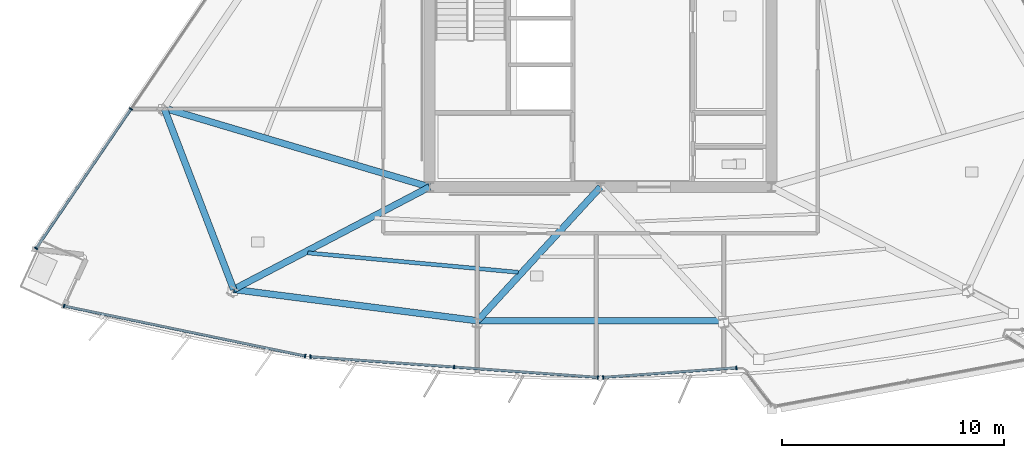
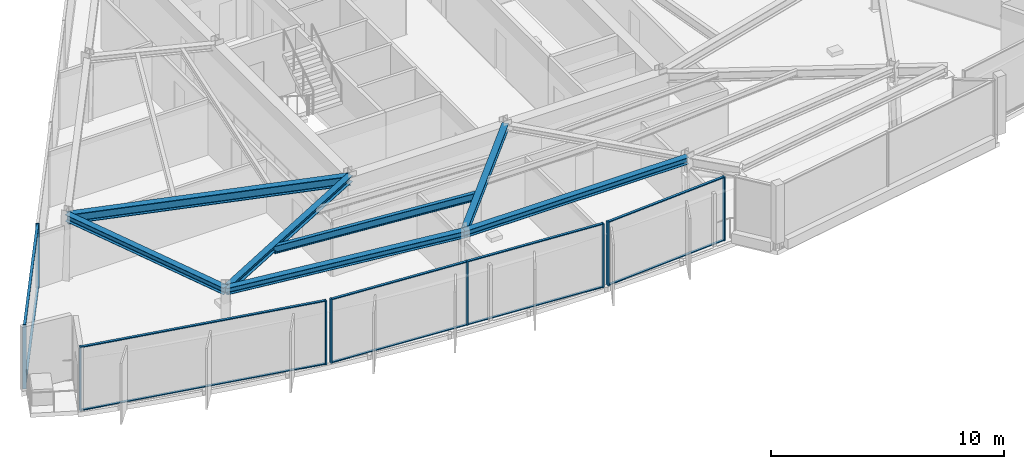
# One storey, part 2 of 13: 19 members, 7 beams, 4 elements without a shape of their own.
"""IFC4 building model written with IfcOpenShell, lengths in metres."""

from ifc_helpers import new_model, si_unit, direction, frame, origin, origin_2d, place, context, subcontext, project, spatial, rectangle, i_section, extrude, material, material_profile, profile_set, type_object, element, aggregate, save


model = new_model("IFC4")

# Units and contexts
model_context = context("Model", 3, precision=1e-05, world=origin(), true_north=direction((0.0, 1.0)))
body_context = subcontext(model_context, "Body", "Model", "MODEL_VIEW")
ifc_project = project(units=[si_unit("LENGTHUNIT", "METRE"), si_unit("AREAUNIT", "SQUARE_METRE"), si_unit("VOLUMEUNIT", "CUBIC_METRE"), si_unit("PLANEANGLEUNIT", "RADIAN"), si_unit("MASSUNIT", "GRAM", prefix="KILO")], contexts=[model_context])

# Site, building, storey
site_placement = place(None, origin())
site = spatial("IfcSite", under=ifc_project, at=site_placement, CompositionType="ELEMENT")
building_placement = place(site_placement, origin())
building = spatial("IfcBuilding", under=site, at=building_placement, Name="Savorim Split Tower", CompositionType="ELEMENT")
storey_placement = place(building_placement, frame((0.0, 0.0, 216.300048828125)))
storey = spatial("IfcBuildingStorey", under=building, at=storey_placement, Name="L57", CompositionType="ELEMENT", Elevation=216.300048828125)

# Beams
ifc_material_1 = material(Name="Steel S355", Category="steel")
ifc_material_profile_1 = material_profile(ifc_material_1, i_section(OverallWidth=0.179931640625, OverallDepth=0.39990234375, WebThickness=0.008544921875, FlangeThickness=0.013427734375, FilletRadius=0.02099609375, at=origin_2d()), Name="IPE 400")
ifc_profile_set_1 = profile_set([ifc_material_profile_1], Name="Steel S355")
beam_type_1 = type_object("IfcBeamType", Name="BM-JST-IPE400", PredefinedType="JOIST", material=ifc_profile_set_1)
beam_1_placement = place(storey_placement, frame((-13.186767578125, -12.3681640625, 3.14990234375), z_axis=(0.995789389703, -0.091670558826, 0.0), x_axis=(0.091670558826, 0.995789389703, 0.0)))
element("IfcBeam", 1, at=beam_1_placement, inside=storey, type_object=beam_type_1, Name="L57 Secondary Floor Joist JS-01", PredefinedType="JOIST", context=body_context, shape_type="SweptSolid", body=[
    extrude(i_section(OverallWidth=0.179931640625, OverallDepth=0.39990234375, WebThickness=0.008544921875, FlangeThickness=0.013427734375, FilletRadius=0.02099609375, at=origin_2d()), origin(), (0.0, 0.0, 1.0), 9.523681640625),
])
ifc_material_profile_2 = material_profile(ifc_material_1, i_section(OverallWidth=0.300048828125, OverallDepth=0.320068359375, WebThickness=0.011474609375, FlangeThickness=0.0205078125, FilletRadius=0.027099609375, at=origin_2d()), Name="HEB 320")
ifc_profile_set_2 = profile_set([ifc_material_profile_2], Name="Steel S355")
beam_type_2 = type_object("IfcBeamType", Name="BM-PRI-HEB320", PredefinedType="BEAM", material=ifc_profile_set_2)
beam_2_placement = place(storey_placement, frame((-16.52197265625, -14.0146484375, 3.18994140625), z_axis=(0.886092015085, 0.463509375097, 0.0), x_axis=(-0.463509375097, 0.886092015085, 0.0)))
element("IfcBeam", 2, at=beam_2_placement, inside=storey, type_object=beam_type_2, Name="L57 Primary Floor Girder RG-01", PredefinedType="BEAM", context=body_context, shape_type="SweptSolid", body=[
    extrude(i_section(OverallWidth=0.300048828125, OverallDepth=0.320068359375, WebThickness=0.011474609375, FlangeThickness=0.0205078125, FilletRadius=0.027099609375, at=origin_2d()), origin(), (0.0, 0.0, 1.0), 9.9560546875),
])
beam_3_placement = place(storey_placement, frame((-5.537353515625, -15.425048828125, 3.18994140625), z_axis=(0.676673814544, 0.736282927081, 0.0), x_axis=(-0.736282927081, 0.676673814544, 0.0)))
element("IfcBeam", 3, at=beam_3_placement, inside=storey, type_object=beam_type_2, Name="L57 Primary Floor Girder RG-02", PredefinedType="BEAM", context=body_context, shape_type="SweptSolid", body=[
    extrude(i_section(OverallWidth=0.300048828125, OverallDepth=0.320068359375, WebThickness=0.011474609375, FlangeThickness=0.0205078125, FilletRadius=0.027099609375, at=origin_2d()), origin(), (0.0, 0.0, 1.0), 8.18310546875),
])
ifc_material_profile_3 = material_profile(ifc_material_1, i_section(OverallWidth=0.300048828125, OverallDepth=0.5, WebThickness=0.014404296875, FlangeThickness=0.028076171875, FilletRadius=0.027099609375, at=origin_2d()), Name="HEB 500")
ifc_profile_set_3 = profile_set([ifc_material_profile_3], Name="Steel S355")
beam_type_3 = type_object("IfcBeamType", Name="BM-PRI-HEB500", PredefinedType="BEAM", material=ifc_profile_set_3)
beam_4_placement = place(storey_placement, frame((-19.65771484375, -5.845458984375, 3.099853515625), z_axis=(0.958548780733, -0.284928473401, 0.0), x_axis=(0.284928473401, 0.958548780733, 0.0)))
element("IfcBeam", 4, at=beam_4_placement, inside=storey, type_object=beam_type_3, Name="L57 Primary Floor Girder RG-10", PredefinedType="BEAM", context=body_context, shape_type="SweptSolid", body=[
    extrude(i_section(OverallWidth=0.300048828125, OverallDepth=0.5, WebThickness=0.014404296875, FlangeThickness=0.028076171875, FilletRadius=0.027099609375, at=origin_2d()), origin(), (0.0, 0.0, 1.0), 12.474853515625),
])
ifc_material_profile_4 = material_profile(ifc_material_1, i_section(OverallWidth=0.300048828125, OverallDepth=0.35009765625, WebThickness=0.010009765625, FlangeThickness=0.017578125, FilletRadius=0.027099609375, at=origin_2d()), Name="HEA 360")
ifc_profile_set_4 = profile_set([ifc_material_profile_4], Name="Steel S355")
beam_type_4 = type_object("IfcBeamType", Name="BM-SPN-HEA360", PredefinedType="SPANDREL", material=ifc_profile_set_4)
for number, where, z_axis, x_axis, name in (
    (5, (-16.52197265625, -14.0146484375, 3.175048828125), (0.991857548844, -0.127352278347, 0.0), (0.127352278347, 0.991857548844, 0.0), "L57 Perimeter Spandrel Beam 1"),
    (6, (-5.537353515625, -15.425048828125, 3.175048828125), (1.0, 0.0, 0.0), (0.0, 1.0, 0.0), "L57 Perimeter Spandrel Beam 2"),
):
    element("IfcBeam", number, at=place(storey_placement, frame(where, z_axis=z_axis, x_axis=x_axis)), inside=storey, type_object=beam_type_4, Name=name, PredefinedType="SPANDREL", context=body_context, shape_type="SweptSolid", body=[
        extrude(i_section(OverallWidth=0.300048828125, OverallDepth=0.35009765625, WebThickness=0.010009765625, FlangeThickness=0.017578125, FilletRadius=0.027099609375, at=origin_2d()), origin(), (0.0, 0.0, 1.0), 11.07470703125),
    ])
beam_5_placement = place(storey_placement, frame((-19.65771484375, -5.845458984375, 3.175048828125), z_axis=(0.358356411455, -0.933584855473, 0.0), x_axis=(0.933584855473, 0.358356411455, 0.0)))
element("IfcBeam", 7, at=beam_5_placement, inside=storey, type_object=beam_type_4, Name="L57 Perimeter Spandrel Beam 10", PredefinedType="SPANDREL", context=body_context, shape_type="SweptSolid", body=[
    extrude(i_section(OverallWidth=0.300048828125, OverallDepth=0.35009765625, WebThickness=0.010009765625, FlangeThickness=0.017578125, FilletRadius=0.027099609375, at=origin_2d()), origin(), (0.0, 0.0, 1.0), 8.750244140625),
])

# Curtain wall, members
ifc_material_2 = material(Name="Dark Ceramic-Fritted Insulated Glass", Category="glass")
curtain_wall_type = type_object("IfcCurtainWallType", Name="CW-TWR-FRIT-B", PredefinedType="NOTDEFINED", material=ifc_material_2)
curtain_wall_1_placement = place(storey_placement, origin())
curtain_wall_1 = element("IfcCurtainWall", 8, at=curtain_wall_1_placement, inside=storey, type_object=curtain_wall_type, Name="L57 Curtain Wall CW-L57-SF1A", PredefinedType="NOTDEFINED")
ifc_material_3 = material(Name="Charcoal Anodised Aluminium", Category="aluminium")
ifc_material_profile_5 = material_profile(ifc_material_3, rectangle(XDim=0.159912109375, YDim=0.06005859375, at=origin_2d()), Name="ALU-M 160x60")
ifc_profile_set_5 = profile_set([ifc_material_profile_5], Name="Charcoal Anodised Aluminium")
member_type_1 = type_object("IfcMemberType", Name="CWM-160x60", PredefinedType="MULLION", material=ifc_profile_set_5)
member_1_placement = place(storey_placement, frame((-24.15869140625, -14.758544921875, 0.0), z_axis=(0.0, 0.0, 1.0), x_axis=(0.203210452448, 0.979135083641, 0.0)))
member_1 = element("IfcMember", 9, at=member_1_placement, type_object=member_type_1, Name="CW-03 mullion 1", PredefinedType="MULLION", context=body_context, shape_type="SweptSolid", body=[
    extrude(rectangle(XDim=0.159912109375, YDim=0.06005859375, at=origin_2d()), origin(), (0.0, 0.0, 1.0), 3.349853515625),
])
member_2_placement = place(storey_placement, frame((-13.303466796875, -17.011474609375, 0.0), z_axis=(0.0, 0.0, 1.0), x_axis=(0.203210452448, 0.979135083641, 0.0)))
member_2 = element("IfcMember", 10, at=member_2_placement, type_object=member_type_1, Name="CW-03 mullion 2", PredefinedType="MULLION", context=body_context, shape_type="SweptSolid", body=[
    extrude(rectangle(XDim=0.159912109375, YDim=0.06005859375, at=origin_2d()), origin(), (0.0, 0.0, 1.0), 3.349853515625),
])

curtain_wall_2_placement = place(storey_placement, origin())
curtain_wall_2 = element("IfcCurtainWall", 11, at=curtain_wall_2_placement, inside=storey, type_object=curtain_wall_type, Name="L57 Curtain Wall CW-L57-SF2A", PredefinedType="NOTDEFINED")
member_3_placement = place(storey_placement, frame((-13.062255859375, -17.044921875, 0.0), z_axis=(0.0, 0.0, 1.0), x_axis=(0.071563815552, 0.997436023163, 0.0)))
member_3 = element("IfcMember", 12, at=member_3_placement, type_object=member_type_1, Name="CW-03 mullion 1", PredefinedType="MULLION", context=body_context, shape_type="SweptSolid", body=[
    extrude(rectangle(XDim=0.159912109375, YDim=0.06005859375, at=origin_2d()), origin(), (0.0, 0.0, 1.0), 3.349853515625),
])
member_4_placement = place(storey_placement, frame((-6.591796875, -17.50927734375, 0.0), z_axis=(0.0, 0.0, 1.0), x_axis=(0.071563815552, 0.997436023163, 0.0)))
member_4 = element("IfcMember", 13, at=member_4_placement, type_object=member_type_1, Name="CW-03 mullion 2", PredefinedType="MULLION", context=body_context, shape_type="SweptSolid", body=[
    extrude(rectangle(XDim=0.159912109375, YDim=0.06005859375, at=origin_2d()), origin(), (0.0, 0.0, 1.0), 3.349853515625),
])
member_5_placement = place(storey_placement, frame((-0.12109375, -17.973388671875, 0.0), z_axis=(0.0, 0.0, 1.0), x_axis=(0.071563815552, 0.997436023163, 0.0)))
member_5 = element("IfcMember", 14, at=member_5_placement, type_object=member_type_1, Name="CW-03 mullion 3", PredefinedType="MULLION", context=body_context, shape_type="SweptSolid", body=[
    extrude(rectangle(XDim=0.159912109375, YDim=0.06005859375, at=origin_2d()), origin(), (0.0, 0.0, 1.0), 3.349853515625),
])

curtain_wall_3_placement = place(storey_placement, origin())
curtain_wall_3 = element("IfcCurtainWall", 15, at=curtain_wall_3_placement, inside=storey, type_object=curtain_wall_type, Name="L57 Curtain Wall CW-L57-SF3A", PredefinedType="NOTDEFINED")
member_6_placement = place(storey_placement, frame((0.12109375, -17.973388671875, 0.0), z_axis=(0.0, 0.0, 1.0), x_axis=(-0.071578207239, 0.997434990487, 0.0)))
member_6 = element("IfcMember", 16, at=member_6_placement, type_object=member_type_1, Name="CW-03 mullion 1", PredefinedType="MULLION", context=body_context, shape_type="SweptSolid", body=[
    extrude(rectangle(XDim=0.159912109375, YDim=0.06005859375, at=origin_2d()), origin(), (0.0, 0.0, 1.0), 3.349853515625),
])
member_7_placement = place(storey_placement, frame((6.118896484375, -17.54296875, 0.0), z_axis=(0.0, 0.0, 1.0), x_axis=(-0.071578207239, 0.997434990487, 0.0)))
member_7 = element("IfcMember", 17, at=member_7_placement, type_object=member_type_1, Name="CW-03 mullion 2", PredefinedType="MULLION", context=body_context, shape_type="SweptSolid", body=[
    extrude(rectangle(XDim=0.159912109375, YDim=0.06005859375, at=origin_2d()), origin(), (0.0, 0.0, 1.0), 3.349853515625),
])

curtain_wall_4_placement = place(storey_placement, origin())
curtain_wall_4 = element("IfcCurtainWall", 18, at=curtain_wall_4_placement, inside=storey, type_object=curtain_wall_type, Name="L57 Curtain Wall CW-L57-WEST", PredefinedType="NOTDEFINED")
member_8_placement = place(storey_placement, frame((-21.147705078125, -5.884033203125, 0.0), z_axis=(0.0, 0.0, 1.0), x_axis=(0.826820907104, -0.562465276773, 0.0)))
member_8 = element("IfcMember", 19, at=member_8_placement, type_object=member_type_1, Name="CW-03 mullion 4", PredefinedType="MULLION", context=body_context, shape_type="SweptSolid", body=[
    extrude(rectangle(XDim=0.159912109375, YDim=0.06005859375, at=origin_2d()), origin(), (0.0, 0.0, 1.0), 3.349853515625),
])
member_9_placement = place(storey_placement, frame((-25.4189453125, -12.16259765625, 0.0), z_axis=(0.0, 0.0, 1.0), x_axis=(0.826820907104, -0.562465276773, 0.0)))
member_9 = element("IfcMember", 20, at=member_9_placement, type_object=member_type_1, Name="CW-03 mullion 5", PredefinedType="MULLION", context=body_context, shape_type="SweptSolid", body=[
    extrude(rectangle(XDim=0.159912109375, YDim=0.06005859375, at=origin_2d()), origin(), (0.0, 0.0, 1.0), 3.349853515625),
])

# Member
ifc_material_profile_6 = material_profile(ifc_material_3, rectangle(XDim=0.1201171875, YDim=0.050048828125, at=origin_2d()), Name="ALU-T 120x50")
ifc_profile_set_6 = profile_set([ifc_material_profile_6], Name="Charcoal Anodised Aluminium")
member_type_2 = type_object("IfcMemberType", Name="CWT-120x50", PredefinedType="USERDEFINED", material=ifc_profile_set_6)
member_10_placement = place(storey_placement, frame((-24.12939453125, -14.7646484375, 0.02490234375), z_axis=(0.979135416768, -0.203208847322, 0.0), x_axis=(0.203208847322, 0.979135416768, 0.0)))
member_10 = element("IfcMember", 21, at=member_10_placement, type_object=member_type_2, Name="CW-03 transom 1.1", ObjectType="TRANSOM", PredefinedType="USERDEFINED", context=body_context, shape_type="SweptSolid", body=[
    extrude(rectangle(XDim=0.1201171875, YDim=0.050048828125, at=origin_2d()), origin(), (0.0, 0.0, 1.0), 11.026611328125),
])

member_11_placement = place(storey_placement, frame((-24.12939453125, -14.7646484375, 3.324951171875), z_axis=(0.979135416768, -0.203208847322, 0.0), x_axis=(0.203208847322, 0.979135416768, 0.0)))
member_11 = element("IfcMember", 22, at=member_11_placement, type_object=member_type_2, Name="CW-03 transom 1.2", ObjectType="TRANSOM", PredefinedType="USERDEFINED", context=body_context, shape_type="SweptSolid", body=[
    extrude(rectangle(XDim=0.1201171875, YDim=0.050048828125, at=origin_2d()), origin(), (0.0, 0.0, 1.0), 11.026611328125),
])

aggregate(curtain_wall_1, [member_1, member_2, member_10, member_11])

member_12_placement = place(storey_placement, frame((-13.032470703125, -17.047119140625, 0.02490234375), z_axis=(0.997436090482, -0.071562877279, 0.0), x_axis=(0.071562877279, 0.997436090482, 0.0)))
member_12 = element("IfcMember", 23, at=member_12_placement, type_object=member_type_2, Name="CW-03 transom 1.1", ObjectType="TRANSOM", PredefinedType="USERDEFINED", context=body_context, shape_type="SweptSolid", body=[
    extrude(rectangle(XDim=0.1201171875, YDim=0.050048828125, at=origin_2d()), origin(), (0.0, 0.0, 1.0), 6.42724609375),
])

member_13_placement = place(storey_placement, frame((-13.032470703125, -17.047119140625, 3.324951171875), z_axis=(0.997436090482, -0.071562877279, 0.0), x_axis=(0.071562877279, 0.997436090482, 0.0)))
member_13 = element("IfcMember", 24, at=member_13_placement, type_object=member_type_2, Name="CW-03 transom 1.2", ObjectType="TRANSOM", PredefinedType="USERDEFINED", context=body_context, shape_type="SweptSolid", body=[
    extrude(rectangle(XDim=0.1201171875, YDim=0.050048828125, at=origin_2d()), origin(), (0.0, 0.0, 1.0), 6.42724609375),
])

member_14_placement = place(storey_placement, frame((-6.561767578125, -17.51123046875, 0.02490234375), z_axis=(0.997435895943, -0.071565588695, 0.0), x_axis=(0.071565588695, 0.997435895943, 0.0)))
member_14 = element("IfcMember", 25, at=member_14_placement, type_object=member_type_2, Name="CW-03 transom 2.1", ObjectType="TRANSOM", PredefinedType="USERDEFINED", context=body_context, shape_type="SweptSolid", body=[
    extrude(rectangle(XDim=0.1201171875, YDim=0.050048828125, at=origin_2d()), origin(), (0.0, 0.0, 1.0), 6.42724609375),
])

member_15_placement = place(storey_placement, frame((-6.561767578125, -17.51123046875, 3.324951171875), z_axis=(0.997435895943, -0.071565588695, 0.0), x_axis=(0.071565588695, 0.997435895943, 0.0)))
member_15 = element("IfcMember", 26, at=member_15_placement, type_object=member_type_2, Name="CW-03 transom 2.2", ObjectType="TRANSOM", PredefinedType="USERDEFINED", context=body_context, shape_type="SweptSolid", body=[
    extrude(rectangle(XDim=0.1201171875, YDim=0.050048828125, at=origin_2d()), origin(), (0.0, 0.0, 1.0), 6.42724609375),
])

aggregate(curtain_wall_2, [member_3, member_4, member_5, member_12, member_13, member_14, member_15])

member_16_placement = place(storey_placement, frame((0.151123046875, -17.97119140625, 0.02490234375), z_axis=(0.997435957707, 0.071564727857, 0.0), x_axis=(-0.071564727857, 0.997435957707, 0.0)))
member_16 = element("IfcMember", 27, at=member_16_placement, type_object=member_type_2, Name="CW-03 transom 1.1", ObjectType="TRANSOM", PredefinedType="USERDEFINED", context=body_context, shape_type="SweptSolid", body=[
    extrude(rectangle(XDim=0.1201171875, YDim=0.050048828125, at=origin_2d()), origin(), (0.0, 0.0, 1.0), 5.953125),
])

member_17_placement = place(storey_placement, frame((0.151123046875, -17.97119140625, 3.324951171875), z_axis=(0.997435957707, 0.071564727857, 0.0), x_axis=(-0.071564727857, 0.997435957707, 0.0)))
member_17 = element("IfcMember", 28, at=member_17_placement, type_object=member_type_2, Name="CW-03 transom 1.2", ObjectType="TRANSOM", PredefinedType="USERDEFINED", context=body_context, shape_type="SweptSolid", body=[
    extrude(rectangle(XDim=0.1201171875, YDim=0.050048828125, at=origin_2d()), origin(), (0.0, 0.0, 1.0), 5.953125),
])

aggregate(curtain_wall_3, [member_6, member_7, member_16, member_17])

member_18_placement = place(storey_placement, frame((-21.16455078125, -5.90869140625, 0.02490234375), z_axis=(-0.562453610104, -0.826828843523, 0.0), x_axis=(0.826828843523, -0.562453610104, 0.0)))
member_18 = element("IfcMember", 29, at=member_18_placement, type_object=member_type_2, Name="CW-03 transom 4.1", ObjectType="TRANSOM", PredefinedType="USERDEFINED", context=body_context, shape_type="SweptSolid", body=[
    extrude(rectangle(XDim=0.1201171875, YDim=0.050048828125, at=origin_2d()), origin(), (0.0, 0.0, 1.0), 7.53369140625),
])

member_19_placement = place(storey_placement, frame((-21.16455078125, -5.90869140625, 3.324951171875), z_axis=(-0.562453610104, -0.826828843523, 0.0), x_axis=(0.826828843523, -0.562453610104, 0.0)))
member_19 = element("IfcMember", 30, at=member_19_placement, type_object=member_type_2, Name="CW-03 transom 4.2", ObjectType="TRANSOM", PredefinedType="USERDEFINED", context=body_context, shape_type="SweptSolid", body=[
    extrude(rectangle(XDim=0.1201171875, YDim=0.050048828125, at=origin_2d()), origin(), (0.0, 0.0, 1.0), 7.53369140625),
])

aggregate(curtain_wall_4, [member_8, member_9, member_18, member_19])

save(model, "model.ifc")
